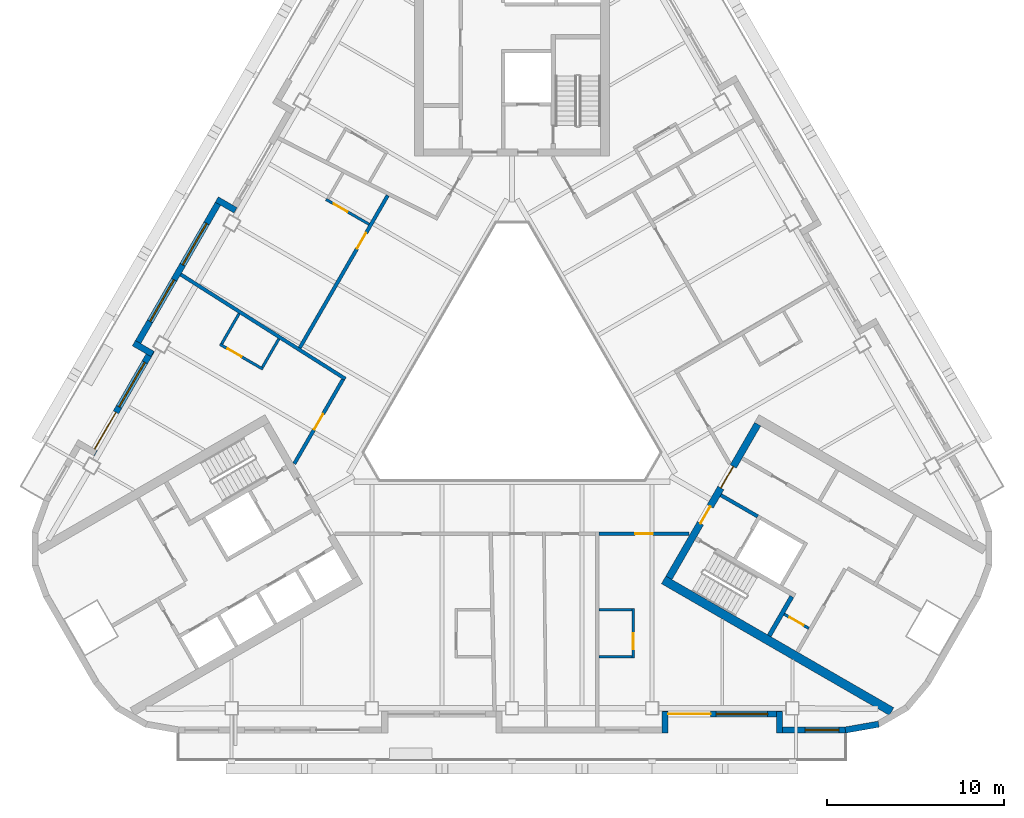
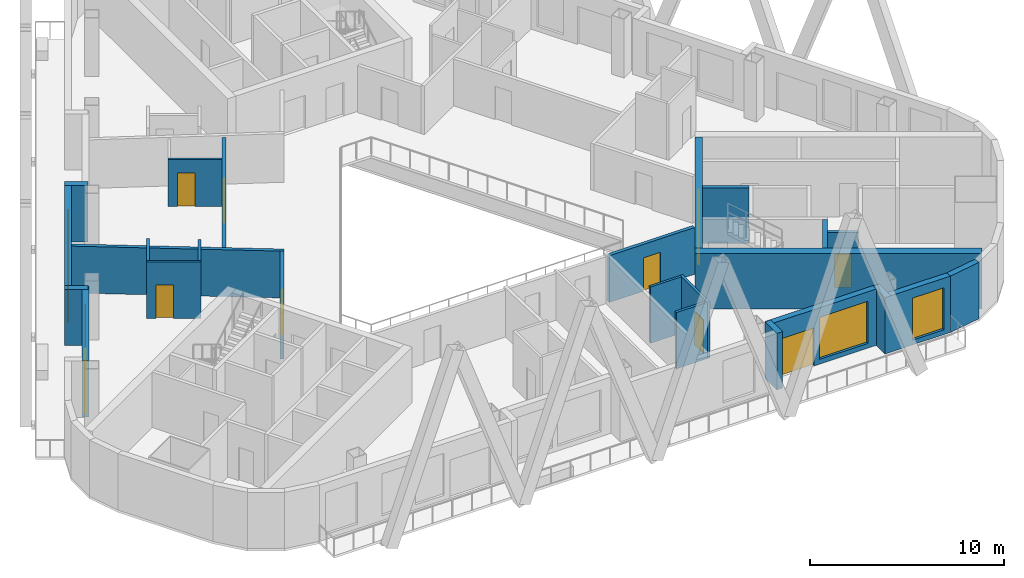
# One storey, part 4 of 13: 25 walls, 11 doors, 5 windows, 16 openings.
"""IFC4 building model written with IfcOpenShell, lengths in metres."""

from ifc_helpers import new_model, si_unit, direction, frame, frame_2d, origin, place, context, subcontext, project, spatial, rectangle, extrude, material, layer, layer_set, type_object, element, fill, save


model = new_model("IFC4")

# Units and contexts
model_context = context("Model", 3, precision=1e-05, world=origin(), true_north=direction((0.0, 1.0)))
body_context = subcontext(model_context, "Body", "Model", "MODEL_VIEW")
ifc_project = project(units=[si_unit("LENGTHUNIT", "METRE"), si_unit("AREAUNIT", "SQUARE_METRE"), si_unit("VOLUMEUNIT", "CUBIC_METRE"), si_unit("PLANEANGLEUNIT", "RADIAN"), si_unit("MASSUNIT", "GRAM", prefix="KILO")], contexts=[model_context])

# Site, building, storey
site_placement = place(None, origin())
site = spatial("IfcSite", under=ifc_project, at=site_placement, CompositionType="ELEMENT")
building_placement = place(site_placement, origin())
building = spatial("IfcBuilding", under=site, at=building_placement, Name="Apuvela Tower Hotel", CompositionType="ELEMENT")
storey_placement = place(building_placement, frame((0.0, 0.0, 191.0)))
storey = spatial("IfcBuildingStorey", under=building, at=storey_placement, Name="L46", CompositionType="ELEMENT", Elevation=191.0)

# Wall, openings, doors
ifc_material_1 = material(Name="Concrete C50/60", Category="concrete")
ifc_layer_1 = layer(ifc_material_1, 0.39990234375)
ifc_layer_set_1 = layer_set([ifc_layer_1], Name="COR-WALL-CORE-400")
wall_type_1 = type_object("IfcWallType", Name="COR-WALL-CORE-400", PredefinedType="SHEAR", material=ifc_layer_set_1)
wall_1_placement = place(storey_placement, frame((8.844970703125, -10.880126953125, 0.0), z_axis=(0.0, 0.0, 1.0), x_axis=(0.500004234368, 0.866022959057, 0.0)))
wall_1 = element("IfcWall", 1, at=wall_1_placement, inside=storey, type_object=wall_type_1, Name="Core wall SE", PredefinedType="SHEAR", context=body_context, shape_type="SweptSolid", body=[
    extrude(rectangle(XDim=10.0, YDim=0.39990234375, at=frame_2d((5.0, 0.0))), origin(), (0.0, 0.0, 1.0), 3.5),
])
opening_1_placement = place(wall_1_placement, frame((3.550048828125, 0.0, 0.0)))
opening_1 = element("IfcOpeningElement", 2, at=opening_1_placement, cuts=wall_1, Name="Opening E-FD", PredefinedType="OPENING", context=body_context, shape_type="SweptSolid", body=[
    extrude(rectangle(XDim=1.10009765625, YDim=2.10009765625, at=frame_2d((0.550048828125, 1.050048828125))), frame((0.0, 0.2099609375, 0.0), z_axis=(0.0, -1.0, 0.0), x_axis=(1.0, 0.0, 0.0)), (0.0, 0.0, 1.0), 0.419921875),
])
opening_2_placement = place(wall_1_placement, frame((5.85009765625, 0.0, 0.0)))
opening_2 = element("IfcOpeningElement", 3, at=opening_2_placement, cuts=wall_1, Name="Opening E-GD", PredefinedType="OPENING", context=body_context, shape_type="SweptSolid", body=[
    extrude(rectangle(XDim=1.39990234375, YDim=2.10009765625, at=frame_2d((0.699951171875, 1.050048828125))), frame((0.0, 0.2099609375, 0.0), z_axis=(0.0, -1.0, 0.0), x_axis=(1.0, 0.0, 0.0)), (0.0, 0.0, 1.0), 0.419921875),
])
ifc_material_2 = material(Name="Steel fire door, powder coated", Category="steel")
door_type_1 = type_object("IfcDoorType", Name="COR-FD-1100", OperationType="NOTDEFINED", PredefinedType="DOOR", material=ifc_material_2)
door_1_placement = place(opening_1_placement, frame((1.10009765625, 0.0, 0.0), z_axis=(0.0, 0.0, 1.0), x_axis=(-1.0, 0.0, 0.0)))
door_1 = element("IfcDoor", 4, at=door_1_placement, inside=storey, type_object=door_type_1, Name="Firefighting lobby door E-FD", OperationType="SINGLE_SWING_LEFT", OverallHeight=2.10009765625, OverallWidth=1.10009765625, PredefinedType="DOOR", context=body_context, shape_type="SweptSolid", body=[
    extrude(rectangle(XDim=1.10009765625, YDim=2.10009765625, at=frame_2d((0.550048828125, 1.050048828125))), frame((0.0, 0.02490234375, 0.0), z_axis=(0.0, -1.0, 0.0), x_axis=(1.0, 0.0, 0.0)), (0.0, 0.0, 1.0), 0.050048828125),
])
fill(opening_1, door_1)
ifc_material_3 = material(Name="Glazed steel fire door", Category="steel")
door_type_2 = type_object("IfcDoorType", Name="COR-GD-1400", OperationType="DOUBLE_DOOR_SINGLE_SWING", PredefinedType="DOOR", material=ifc_material_3)
door_2_placement = place(opening_2_placement, frame((1.39990234375, 0.0, 0.0), z_axis=(0.0, 0.0, 1.0), x_axis=(-1.0, 0.0, 0.0)))
door_2 = element("IfcDoor", 5, at=door_2_placement, inside=storey, type_object=door_type_2, Name="Lift lobby door E-GD", OperationType="DOUBLE_DOOR_SINGLE_SWING", OverallHeight=2.10009765625, OverallWidth=1.39990234375, PredefinedType="DOOR", context=body_context, shape_type="SweptSolid", body=[
    extrude(rectangle(XDim=1.39990234375, YDim=2.10009765625, at=frame_2d((0.699951171875, 1.050048828125))), frame((0.0, 0.02490234375, 0.0), z_axis=(0.0, -1.0, 0.0), x_axis=(1.0, 0.0, 0.0)), (0.0, 0.0, 1.0), 0.050048828125),
])
fill(opening_2, door_2)

# Wall
ifc_layer_2 = layer(ifc_material_1, 0.5)
ifc_layer_set_2 = layer_set([ifc_layer_2], Name="COR-WALL-CORE-500")
wall_type_2 = type_object("IfcWallType", Name="COR-WALL-CORE-500", PredefinedType="SHEAR", material=ifc_layer_set_2)
wall_2_placement = place(storey_placement, frame((8.546630859375, -10.99658203125, 0.0), z_axis=(0.0, 0.0, 1.0), x_axis=(0.866025009528, -0.500000682871, 0.0)))
element("IfcWall", 6, at=wall_2_placement, inside=storey, type_object=wall_type_2, Name="Core wall SE", PredefinedType="SHEAR", context=body_context, shape_type="SweptSolid", body=[
    extrude(rectangle(XDim=14.8369140625, YDim=0.5, at=frame_2d((7.41845703125, 0.0))), origin(), (0.0, 0.0, 1.0), 3.5),
])

# Wall, opening, door
ifc_material_4 = material(Name="Blockwork 150 mm plastered", Category="masonry")
ifc_layer_3 = layer(ifc_material_4, 0.14990234375)
ifc_layer_set_3 = layer_set([ifc_layer_3], Name="COR-WALL-PART-150")
wall_type_3 = type_object("IfcWallType", Name="COR-WALL-PART-150", PredefinedType="PARTITIONING", material=ifc_layer_set_3)
wall_3_placement = place(storey_placement, frame((15.341552734375, -12.927734375, 0.0), z_axis=(0.0, 0.0, 1.0), x_axis=(0.865989903783, -0.500061482766, 0.0)))
wall_3 = element("IfcWall", 7, at=wall_3_placement, inside=storey, type_object=wall_type_3, Name="Partition SE", PredefinedType="PARTITIONING", context=body_context, shape_type="SweptSolid", body=[
    extrude(rectangle(XDim=1.599853515625, YDim=0.14990234375, at=frame_2d((0.7998046875, 0.0))), origin(), (0.0, 0.0, 1.0), 3.5),
])
opening_3_placement = place(wall_3_placement, frame((0.35009765625, 0.0, 0.0)))
opening_3 = element("IfcOpeningElement", 8, at=opening_3_placement, cuts=wall_3, Name="Opening E-RD", PredefinedType="OPENING", context=body_context, shape_type="SweptSolid", body=[
    extrude(rectangle(XDim=0.89990234375, YDim=2.10009765625, at=frame_2d((0.449951171875, 1.050048828125))), frame((0.0, 0.0849609375, 0.0), z_axis=(0.0, -1.0, 0.0), x_axis=(1.0, 0.0, 0.0)), (0.0, 0.0, 1.0), 0.169921875),
])
ifc_material_5 = material(Name="Steel access door, powder coated", Category="steel")
door_type_3 = type_object("IfcDoorType", Name="COR-RD-900", OperationType="NOTDEFINED", PredefinedType="DOOR", material=ifc_material_5)
door_3_placement = place(opening_3_placement, frame((0.89990234375, 0.0, 0.0), z_axis=(0.0, 0.0, 1.0), x_axis=(-1.0, 0.0, 0.0)))
door_3 = element("IfcDoor", 9, at=door_3_placement, inside=storey, type_object=door_type_3, Name="Riser door E-RD", OperationType="SINGLE_SWING_LEFT", OverallHeight=2.10009765625, OverallWidth=0.89990234375, PredefinedType="DOOR", context=body_context, shape_type="SweptSolid", body=[
    extrude(rectangle(XDim=0.89990234375, YDim=2.10009765625, at=frame_2d((0.449951171875, 1.050048828125))), frame((0.0, 0.02490234375, 0.0), z_axis=(0.0, -1.0, 0.0), x_axis=(1.0, 0.0, 0.0)), (0.0, 0.0, 1.0), 0.050048828125),
])
fill(opening_3, door_3)

# Walls
ifc_layer_4 = layer(ifc_material_1, 0.199951171875)
ifc_layer_set_4 = layer_set([ifc_layer_4], Name="COR-WALL-SHAFT-200")
wall_type_4 = type_object("IfcWallType", Name="COR-WALL-SHAFT-200", PredefinedType="SHEAR", material=ifc_layer_set_4)
wall_4_placement = place(storey_placement, frame((11.76806640625, -6.217041015625, 0.0), z_axis=(0.0, 0.0, 1.0), x_axis=(0.866050077142, -0.499957262057, 0.0)))
element("IfcWall", 10, at=wall_4_placement, inside=storey, type_object=wall_type_4, Name="Shaft wall SE", PredefinedType="SHEAR", context=body_context, shape_type="SweptSolid", body=[
    extrude(rectangle(XDim=2.400146484375, YDim=0.199951171875, at=frame_2d((1.2001953125, 0.0))), origin(), (0.0, 0.0, 1.0), 3.5),
])
ifc_layer_5 = layer(ifc_material_1, 0.25)
ifc_layer_set_5 = layer_set([ifc_layer_5], Name="COR-WALL-STAIR-250")
wall_type_5 = type_object("IfcWallType", Name="COR-WALL-STAIR-250", PredefinedType="SHEAR", material=ifc_layer_set_5)
wall_5_placement = place(storey_placement, frame((14.49560546875, -14.142578125, 0.0), z_axis=(0.0, 0.0, 1.0), x_axis=(0.500062241894, 0.865989465428, 0.0)))
element("IfcWall", 11, at=wall_5_placement, inside=storey, type_object=wall_type_5, Name="Stair wall SE", PredefinedType="SHEAR", context=body_context, shape_type="SweptSolid", body=[
    extrude(rectangle(XDim=2.550048828125, YDim=0.25, at=frame_2d((1.27490234375, 0.0))), origin(), (0.0, 0.0, 1.0), 3.5),
])
ifc_material_6 = material(Name="Concrete C40/50, dark pigmented precast panel", Category="concrete")
ifc_layer_6 = layer(ifc_material_6, 0.35009765625)
ifc_layer_set_6 = layer_set([ifc_layer_6], Name="ENV-WALL-350")
wall_type_6 = type_object("IfcWallType", Name="ENV-WALL-350", PredefinedType="SOLIDWALL", material=ifc_layer_set_6)
wall_6_placement = place(storey_placement, frame((-15.580810546875, 9.8330078125, 0.0), z_axis=(0.0, 0.0, 1.0), x_axis=(-0.866055662726, 0.499947586314, 0.0)))
element("IfcWall", 12, at=wall_6_placement, inside=storey, type_object=wall_type_6, Name="External wall L46-04", PredefinedType="SOLIDWALL", context=body_context, shape_type="SweptSolid", body=[
    extrude(rectangle(XDim=1.220458984375, YDim=0.35009765625, at=frame_2d((0.6103515625, 0.0))), origin(), (0.0, 0.0, 1.0), 3.550048828125),
])

# Wall, openings, windows
wall_7_placement = place(storey_placement, frame((-16.3984375, 10.507080078125, 0.0), z_axis=(0.0, 0.0, 1.0), x_axis=(-0.499999142773, -0.866025898704, 0.0)))
wall_7 = element("IfcWall", 13, at=wall_7_placement, inside=storey, type_object=wall_type_6, Name="External wall L46-05", PredefinedType="SOLIDWALL", context=body_context, shape_type="SweptSolid", body=[
    extrude(rectangle(XDim=9.7001953125, YDim=0.35009765625, at=frame_2d((4.85009765625, 0.0))), origin(), (0.0, 0.0, 1.0), 3.550048828125),
])
opening_4_placement = place(wall_7_placement, frame((1.625, 0.0, 0.300048828125)))
opening_4 = element("IfcOpeningElement", 14, at=opening_4_placement, cuts=wall_7, Name="Opening WN27", PredefinedType="OPENING", context=body_context, shape_type="SweptSolid", body=[
    extrude(rectangle(XDim=2.699951171875, YDim=2.64990234375, at=frame_2d((1.35009765625, 1.324951171875))), frame((0.0, 0.18505859375, 0.0), z_axis=(0.0, -1.0, 0.0), x_axis=(1.0, 0.0, 0.0)), (0.0, 0.0, 1.0), 0.3701171875),
])
opening_5_placement = place(wall_7_placement, frame((5.2998046875, 0.0, 0.300048828125)))
opening_5 = element("IfcOpeningElement", 15, at=opening_5_placement, cuts=wall_7, Name="Opening WN27", PredefinedType="OPENING", context=body_context, shape_type="SweptSolid", body=[
    extrude(rectangle(XDim=2.699951171875, YDim=2.64990234375, at=frame_2d((1.35009765625, 1.324951171875))), frame((0.0, 0.18505859375, 0.0), z_axis=(0.0, -1.0, 0.0), x_axis=(1.0, 0.0, 0.0)), (0.0, 0.0, 1.0), 0.3701171875),
])
ifc_material_7 = material(Name="Glass, dark tinted laminated insulated glazing unit", Category="glass")
window_type_1 = type_object("IfcWindowType", Name="ENV-WIN-2700x2650", PartitioningType="SINGLE_PANEL", PredefinedType="WINDOW", material=ifc_material_7)
window_1_placement = place(opening_4_placement, origin())
window_1 = element("IfcWindow", 16, at=window_1_placement, inside=storey, type_object=window_type_1, Name="Window WN27", OverallHeight=2.64990234375, OverallWidth=2.699951171875, PartitioningType="SINGLE_PANEL", PredefinedType="WINDOW", context=body_context, shape_type="SweptSolid", body=[
    extrude(rectangle(XDim=2.699951171875, YDim=2.64990234375, at=frame_2d((1.35009765625, 1.324951171875))), frame((0.0, 0.030029296875, 0.0), z_axis=(0.0, -1.0, 0.0), x_axis=(1.0, 0.0, 0.0)), (0.0, 0.0, 1.0), 0.06005859375),
])
fill(opening_4, window_1)
window_2_placement = place(opening_5_placement, origin())
window_2 = element("IfcWindow", 17, at=window_2_placement, inside=storey, type_object=window_type_1, Name="Window WN27", OverallHeight=2.64990234375, OverallWidth=2.699951171875, PartitioningType="SINGLE_PANEL", PredefinedType="WINDOW", context=body_context, shape_type="SweptSolid", body=[
    extrude(rectangle(XDim=2.699951171875, YDim=2.64990234375, at=frame_2d((1.35009765625, 1.324951171875))), frame((0.0, 0.030029296875, 0.0), z_axis=(0.0, -1.0, 0.0), x_axis=(1.0, 0.0, 0.0)), (0.0, 0.0, 1.0), 0.06005859375),
])
fill(opening_5, window_2)

# Wall
wall_8_placement = place(storey_placement, frame((-21.3125, 2.345703125, 0.0), z_axis=(0.0, 0.0, 1.0), x_axis=(0.866005645448, -0.500034220881, 0.0)))
element("IfcWall", 18, at=wall_8_placement, inside=storey, type_object=wall_type_6, Name="External wall L46-06", PredefinedType="SOLIDWALL", context=body_context, shape_type="SweptSolid", body=[
    extrude(rectangle(XDim=1.22021484375, YDim=0.35009765625, at=frame_2d((0.610107421875, 0.0))), origin(), (0.0, 0.0, 1.0), 3.550048828125),
])

# Wall, openings, door, window
wall_9_placement = place(storey_placement, frame((-20.30908203125, 1.93359375, 0.0), z_axis=(0.0, 0.0, 1.0), x_axis=(-0.499992114976, -0.866029956157, 0.0)))
wall_9 = element("IfcWall", 19, at=wall_9_placement, inside=storey, type_object=wall_type_6, Name="External wall L46-07", PredefinedType="SOLIDWALL", context=body_context, shape_type="SweptSolid", body=[
    extrude(rectangle(XDim=6.73974609375, YDim=0.35009765625, at=frame_2d((3.369873046875, 0.0))), origin(), (0.0, 0.0, 1.0), 3.550048828125),
])
opening_6_placement = place(wall_9_placement, frame((4.02001953125, 0.0, 0.0)))
opening_6 = element("IfcOpeningElement", 20, at=opening_6_placement, cuts=wall_9, Name="Opening BD24", PredefinedType="OPENING", context=body_context, shape_type="SweptSolid", body=[
    extrude(rectangle(XDim=2.39990234375, YDim=2.39990234375, at=frame_2d((1.199951171875, 1.199951171875))), frame((0.0, 0.18505859375, 0.0), z_axis=(0.0, -1.0, 0.0), x_axis=(1.0, 0.0, 0.0)), (0.0, 0.0, 1.0), 0.3701171875),
])
opening_7_placement = place(wall_9_placement, frame((0.77001953125, 0.0, 0.300048828125)))
opening_7 = element("IfcOpeningElement", 21, at=opening_7_placement, cuts=wall_9, Name="Opening WN29", PredefinedType="OPENING", context=body_context, shape_type="SweptSolid", body=[
    extrude(rectangle(XDim=2.89990234375, YDim=2.64990234375, at=frame_2d((1.449951171875, 1.324951171875))), frame((0.0, 0.18505859375, 0.0), z_axis=(0.0, -1.0, 0.0), x_axis=(1.0, 0.0, 0.0)), (0.0, 0.0, 1.0), 0.3701171875),
])
ifc_material_8 = material(Name="Aluminium 6063-T6, dark bronze anodised frame with dark tinted laminated glass", Category="aluminium")
door_type_4 = type_object("IfcDoorType", Name="ENV-DOOR-BALCONY-2400x2400", OperationType="SLIDING_TO_LEFT", PredefinedType="DOOR", material=ifc_material_8)
door_4_placement = place(opening_6_placement, frame((2.39990234375, 0.0, 0.0), z_axis=(0.0, 0.0, 1.0), x_axis=(-1.0, 0.0, 0.0)))
door_4 = element("IfcDoor", 22, at=door_4_placement, inside=storey, type_object=door_type_4, Name="Balcony door BD24", OperationType="SLIDING_TO_LEFT", OverallHeight=2.39990234375, OverallWidth=2.39990234375, PredefinedType="DOOR", context=body_context, shape_type="SweptSolid", body=[
    extrude(rectangle(XDim=2.39990234375, YDim=2.39990234375, at=frame_2d((1.199951171875, 1.199951171875))), frame((0.0, 0.02490234375, 0.0), z_axis=(0.0, -1.0, 0.0), x_axis=(1.0, 0.0, 0.0)), (0.0, 0.0, 1.0), 0.050048828125),
])
fill(opening_6, door_4)
window_type_2 = type_object("IfcWindowType", Name="ENV-WIN-2900x2650", PartitioningType="SINGLE_PANEL", PredefinedType="WINDOW", material=ifc_material_7)
window_3_placement = place(opening_7_placement, origin())
window_3 = element("IfcWindow", 23, at=window_3_placement, inside=storey, type_object=window_type_2, Name="Window WN29", OverallHeight=2.64990234375, OverallWidth=2.89990234375, PartitioningType="SINGLE_PANEL", PredefinedType="WINDOW", context=body_context, shape_type="SweptSolid", body=[
    extrude(rectangle(XDim=2.89990234375, YDim=2.64990234375, at=frame_2d((1.449951171875, 1.324951171875))), frame((0.0, 0.030029296875, 0.0), z_axis=(0.0, -1.0, 0.0), x_axis=(1.0, 0.0, 0.0)), (0.0, 0.0, 1.0), 0.06005859375),
])
fill(opening_7, window_3)

# Wall
wall_10_placement = place(storey_placement, frame((8.625, -19.6298828125, 0.0), z_axis=(0.0, 0.0, 1.0), x_axis=(0.0, 1.0, 0.0)))
element("IfcWall", 24, at=wall_10_placement, inside=storey, type_object=wall_type_6, Name="External wall L46-22", PredefinedType="SOLIDWALL", context=body_context, shape_type="SweptSolid", body=[
    extrude(rectangle(XDim=1.219970703125, YDim=0.35009765625, at=frame_2d((0.60986328125, 0.0))), origin(), (0.0, 0.0, 1.0), 3.550048828125),
])

# Wall, openings, door, window
wall_11_placement = place(storey_placement, frame((8.47998046875, -18.554931640625, 0.0), z_axis=(0.0, 0.0, 1.0), x_axis=(1.0, 0.0, 0.0)))
wall_11 = element("IfcWall", 25, at=wall_11_placement, inside=storey, type_object=wall_type_6, Name="External wall L46-23", PredefinedType="SOLIDWALL", context=body_context, shape_type="SweptSolid", body=[
    extrude(rectangle(XDim=6.739990234375, YDim=0.35009765625, at=frame_2d((3.3701171875, 0.0))), origin(), (0.0, 0.0, 1.0), 3.550048828125),
])
opening_8_placement = place(wall_11_placement, frame((0.3203125, 0.0, 0.0)))
opening_8 = element("IfcOpeningElement", 26, at=opening_8_placement, cuts=wall_11, Name="Opening BD24", PredefinedType="OPENING", context=body_context, shape_type="SweptSolid", body=[
    extrude(rectangle(XDim=2.39990234375, YDim=2.39990234375, at=frame_2d((1.199951171875, 1.199951171875))), frame((0.0, 0.18505859375, 0.0), z_axis=(0.0, -1.0, 0.0), x_axis=(1.0, 0.0, 0.0)), (0.0, 0.0, 1.0), 0.3701171875),
])
opening_9_placement = place(wall_11_placement, frame((3.020263671875, 0.0, 0.300048828125)))
opening_9 = element("IfcOpeningElement", 27, at=opening_9_placement, cuts=wall_11, Name="Opening WN29", PredefinedType="OPENING", context=body_context, shape_type="SweptSolid", body=[
    extrude(rectangle(XDim=2.89990234375, YDim=2.64990234375, at=frame_2d((1.449951171875, 1.324951171875))), frame((0.0, 0.18505859375, 0.0), z_axis=(0.0, -1.0, 0.0), x_axis=(1.0, 0.0, 0.0)), (0.0, 0.0, 1.0), 0.3701171875),
])
door_5_placement = place(opening_8_placement, frame((2.39990234375, 0.0, 0.0), z_axis=(0.0, 0.0, 1.0), x_axis=(-1.0, 0.0, 0.0)))
door_5 = element("IfcDoor", 28, at=door_5_placement, inside=storey, type_object=door_type_4, Name="Balcony door BD24", OperationType="SLIDING_TO_LEFT", OverallHeight=2.39990234375, OverallWidth=2.39990234375, PredefinedType="DOOR", context=body_context, shape_type="SweptSolid", body=[
    extrude(rectangle(XDim=2.39990234375, YDim=2.39990234375, at=frame_2d((1.199951171875, 1.199951171875))), frame((0.0, 0.02490234375, 0.0), z_axis=(0.0, -1.0, 0.0), x_axis=(1.0, 0.0, 0.0)), (0.0, 0.0, 1.0), 0.050048828125),
])
fill(opening_8, door_5)
window_4_placement = place(opening_9_placement, origin())
window_4 = element("IfcWindow", 29, at=window_4_placement, inside=storey, type_object=window_type_2, Name="Window WN29", OverallHeight=2.64990234375, OverallWidth=2.89990234375, PartitioningType="SINGLE_PANEL", PredefinedType="WINDOW", context=body_context, shape_type="SweptSolid", body=[
    extrude(rectangle(XDim=2.89990234375, YDim=2.64990234375, at=frame_2d((1.449951171875, 1.324951171875))), frame((0.0, 0.030029296875, 0.0), z_axis=(0.0, -1.0, 0.0), x_axis=(1.0, 0.0, 0.0)), (0.0, 0.0, 1.0), 0.06005859375),
])
fill(opening_9, window_4)

# Wall
wall_12_placement = place(storey_placement, frame((15.074951171875, -18.409912109375, 0.0), z_axis=(0.0, 0.0, 1.0), x_axis=(0.0, -1.0, 0.0)))
element("IfcWall", 30, at=wall_12_placement, inside=storey, type_object=wall_type_6, Name="External wall L46-24", PredefinedType="SOLIDWALL", context=body_context, shape_type="SweptSolid", body=[
    extrude(rectangle(XDim=1.219970703125, YDim=0.35009765625, at=frame_2d((0.60986328125, 0.0))), origin(), (0.0, 0.0, 1.0), 3.550048828125),
])

# Wall, opening, window
wall_13_placement = place(storey_placement, frame((14.89990234375, -19.455078125, 0.0), z_axis=(0.0, 0.0, 1.0), x_axis=(1.0, 0.0, 0.0)))
wall_13 = element("IfcWall", 31, at=wall_13_placement, inside=storey, type_object=wall_type_6, Name="External wall L46-25", PredefinedType="SOLIDWALL", context=body_context, shape_type="SweptSolid", body=[
    extrude(rectangle(XDim=3.916015625, YDim=0.35009765625, at=frame_2d((1.9580078125, 0.0))), origin(), (0.0, 0.0, 1.0), 3.550048828125),
])
opening_10_placement = place(wall_13_placement, frame((1.624755859375, 0.0, 0.300048828125)))
opening_10 = element("IfcOpeningElement", 32, at=opening_10_placement, cuts=wall_13, Name="Opening WN19", PredefinedType="OPENING", context=body_context, shape_type="SweptSolid", body=[
    extrude(rectangle(XDim=1.89990234375, YDim=2.64990234375, at=frame_2d((0.949951171875, 1.324951171875))), frame((0.0, 0.18505859375, 0.0), z_axis=(0.0, -1.0, 0.0), x_axis=(1.0, 0.0, 0.0)), (0.0, 0.0, 1.0), 0.3701171875),
])
window_type_3 = type_object("IfcWindowType", Name="ENV-WIN-1900x2650", PartitioningType="SINGLE_PANEL", PredefinedType="WINDOW", material=ifc_material_7)
window_5_placement = place(opening_10_placement, origin())
window_5 = element("IfcWindow", 33, at=window_5_placement, inside=storey, type_object=window_type_3, Name="Window WN19", OverallHeight=2.64990234375, OverallWidth=1.89990234375, PartitioningType="SINGLE_PANEL", PredefinedType="WINDOW", context=body_context, shape_type="SweptSolid", body=[
    extrude(rectangle(XDim=1.89990234375, YDim=2.64990234375, at=frame_2d((0.949951171875, 1.324951171875))), frame((0.0, 0.030029296875, 0.0), z_axis=(0.0, -1.0, 0.0), x_axis=(1.0, 0.0, 0.0)), (0.0, 0.0, 1.0), 0.06005859375),
])
fill(opening_10, window_5)

# Walls
wall_14_placement = place(storey_placement, frame((18.785400390625, -19.457763671875, 0.0), z_axis=(0.0, 0.0, 1.0), x_axis=(0.984798995425, 0.173697837091, 0.0)))
element("IfcWall", 34, at=wall_14_placement, inside=storey, type_object=wall_type_6, Name="External wall L46-26", PredefinedType="SOLIDWALL", context=body_context, shape_type="SweptSolid", body=[
    extrude(rectangle(XDim=1.91015625, YDim=0.35009765625, at=frame_2d((0.955078125, 0.0))), origin(), (0.0, 0.0, 1.0), 3.550048828125),
])
ifc_material_9 = material(Name="Gypsum board partition on twin steel stud", Category="steel")
ifc_layer_7 = layer(ifc_material_9, 0.199951171875)
ifc_layer_set_7 = layer_set([ifc_layer_7], Name="GST-PW1")
wall_type_7 = type_object("IfcWallType", Name="GST-PW1", PredefinedType="PARTITIONING", material=ifc_layer_set_7)
wall_15_placement = place(storey_placement, frame((-18.672119140625, 6.21923828125, 0.0), z_axis=(0.0, 0.0, 1.0), x_axis=(0.844423533478, -0.535676111198, 0.0)))
element("IfcWall", 35, at=wall_15_placement, inside=storey, type_object=wall_type_7, Name="L46 partition 06", PredefinedType="PARTITIONING", context=body_context, shape_type="SweptSolid", body=[
    extrude(rectangle(XDim=10.98974609375, YDim=0.199951171875, at=frame_2d((5.494873046875, 0.0))), origin(), (0.0, 0.0, 1.0), 2.949951171875),
])

# Wall, opening, door
ifc_material_10 = material(Name="Gypsum board corridor wall on twin steel stud, acoustic", Category="steel")
ifc_layer_8 = layer(ifc_material_10, 0.199951171875)
ifc_layer_set_8 = layer_set([ifc_layer_8], Name="GST-PW2")
wall_type_8 = type_object("IfcWallType", Name="GST-PW2", PredefinedType="PARTITIONING", material=ifc_layer_set_8)
wall_16_placement = place(storey_placement, frame((9.98828125, -8.39990234375, 0.0), z_axis=(0.0, 0.0, 1.0), x_axis=(-1.0, 0.0, 0.0)))
wall_16 = element("IfcWall", 36, at=wall_16_placement, inside=storey, type_object=wall_type_8, Name="L46 partition 14", PredefinedType="PARTITIONING", context=body_context, shape_type="SweptSolid", body=[
    extrude(rectangle(XDim=5.08837890625, YDim=0.199951171875, at=frame_2d((2.544189453125, 0.0))), origin(), (0.0, 0.0, 1.0), 2.949951171875),
])
opening_11_placement = place(wall_16_placement, frame((2.044189453125, 0.0, 0.0)))
opening_11 = element("IfcOpeningElement", 37, at=opening_11_placement, cuts=wall_16, Name="Opening GD18-06", PredefinedType="OPENING", context=body_context, shape_type="SweptSolid", body=[
    extrude(rectangle(XDim=1.0, YDim=2.10009765625, at=frame_2d((0.5, 1.050048828125))), frame((0.0, 0.10986328125, 0.0), z_axis=(0.0, -1.0, 0.0), x_axis=(1.0, 0.0, 0.0)), (0.0, 0.0, 1.0), 0.219970703125),
])
ifc_material_11 = material(Name="Timber door leaf in steel frame", Category="steel")
door_type_5 = type_object("IfcDoorType", Name="GST-D1", OperationType="NOTDEFINED", PredefinedType="DOOR", material=ifc_material_11)
door_6_placement = place(opening_11_placement, origin())
door_6 = element("IfcDoor", 38, at=door_6_placement, inside=storey, type_object=door_type_5, Name="Door L46-06", OperationType="SINGLE_SWING_RIGHT", OverallHeight=2.10009765625, OverallWidth=1.0, PredefinedType="DOOR", context=body_context, shape_type="SweptSolid", body=[
    extrude(rectangle(XDim=1.0, YDim=2.10009765625, at=frame_2d((0.5, 1.050048828125))), frame((0.0, 0.02490234375, 0.0), z_axis=(0.0, -1.0, 0.0), x_axis=(1.0, 0.0, 0.0)), (0.0, 0.0, 1.0), 0.050048828125),
])
fill(opening_11, door_6)

wall_17_placement = place(storey_placement, frame((-11.962158203125, 2.0810546875, 0.0), z_axis=(0.0, 0.0, 1.0), x_axis=(0.500007290723, 0.866021194443, 0.0)))
wall_17 = element("IfcWall", 39, at=wall_17_placement, inside=storey, type_object=wall_type_8, Name="L46 partition 33", PredefinedType="PARTITIONING", context=body_context, shape_type="SweptSolid", body=[
    extrude(rectangle(XDim=9.917236328125, YDim=0.199951171875, at=frame_2d((4.95849609375, 0.0))), origin(), (0.0, 0.0, 1.0), 2.949951171875),
])
opening_12_placement = place(wall_17_placement, frame((6.461669921875, 0.0, 0.0)))
opening_12 = element("IfcOpeningElement", 40, at=opening_12_placement, cuts=wall_17, Name="Opening GD18-16", PredefinedType="OPENING", context=body_context, shape_type="SweptSolid", body=[
    extrude(rectangle(XDim=1.0, YDim=2.10009765625, at=frame_2d((0.5, 1.050048828125))), frame((0.0, 0.10986328125, 0.0), z_axis=(0.0, -1.0, 0.0), x_axis=(1.0, 0.0, 0.0)), (0.0, 0.0, 1.0), 0.219970703125),
])
door_7_placement = place(opening_12_placement, origin())
door_7 = element("IfcDoor", 41, at=door_7_placement, inside=storey, type_object=door_type_5, Name="Door L46-16", OperationType="SINGLE_SWING_LEFT", OverallHeight=2.10009765625, OverallWidth=1.0, PredefinedType="DOOR", context=body_context, shape_type="SweptSolid", body=[
    extrude(rectangle(XDim=1.0, YDim=2.10009765625, at=frame_2d((0.5, 1.050048828125))), frame((0.0, 0.02490234375, 0.0), z_axis=(0.0, -1.0, 0.0), x_axis=(1.0, 0.0, 0.0)), (0.0, 0.0, 1.0), 0.050048828125),
])
fill(opening_12, door_7)

wall_18_placement = place(storey_placement, frame((-12.268798828125, -4.449951171875, 0.0), z_axis=(0.0, 0.0, 1.0), x_axis=(0.500026884667, 0.866009881359, 0.0)))
wall_18 = element("IfcWall", 42, at=wall_18_placement, inside=storey, type_object=wall_type_8, Name="L46 partition 36", PredefinedType="PARTITIONING", context=body_context, shape_type="SweptSolid", body=[
    extrude(rectangle(XDim=5.484130859375, YDim=0.199951171875, at=frame_2d((2.7421875, 0.0))), origin(), (0.0, 0.0, 1.0), 2.949951171875),
])
opening_13_placement = place(wall_18_placement, frame((2.241943359375, 0.0, 0.0)))
opening_13 = element("IfcOpeningElement", 43, at=opening_13_placement, cuts=wall_18, Name="Opening GD18-18", PredefinedType="OPENING", context=body_context, shape_type="SweptSolid", body=[
    extrude(rectangle(XDim=1.0, YDim=2.10009765625, at=frame_2d((0.5, 1.050048828125))), frame((0.0, 0.10986328125, 0.0), z_axis=(0.0, -1.0, 0.0), x_axis=(1.0, 0.0, 0.0)), (0.0, 0.0, 1.0), 0.219970703125),
])
door_8_placement = place(opening_13_placement, origin())
door_8 = element("IfcDoor", 44, at=door_8_placement, inside=storey, type_object=door_type_5, Name="Door L46-18", OperationType="SINGLE_SWING_RIGHT", OverallHeight=2.10009765625, OverallWidth=1.0, PredefinedType="DOOR", context=body_context, shape_type="SweptSolid", body=[
    extrude(rectangle(XDim=1.0, YDim=2.10009765625, at=frame_2d((0.5, 1.050048828125))), frame((0.0, 0.02490234375, 0.0), z_axis=(0.0, -1.0, 0.0), x_axis=(1.0, 0.0, 0.0)), (0.0, 0.0, 1.0), 0.050048828125),
])
fill(opening_13, door_8)

ifc_material_12 = material(Name="Moisture-resistant gypsum board wet wall on steel stud", Category="steel")
ifc_layer_9 = layer(ifc_material_12, 0.14990234375)
ifc_layer_set_9 = layer_set([ifc_layer_9], Name="GST-PW3")
wall_type_9 = type_object("IfcWallType", Name="GST-PW3", PredefinedType="PARTITIONING", material=ifc_layer_set_9)
wall_19_placement = place(storey_placement, frame((6.824951171875, -15.39990234375, 0.0), z_axis=(0.0, 0.0, 1.0), x_axis=(0.0, 1.0, 0.0)))
wall_19 = element("IfcWall", 45, at=wall_19_placement, inside=storey, type_object=wall_type_9, Name="L46 partition 15", PredefinedType="PARTITIONING", context=body_context, shape_type="SweptSolid", body=[
    extrude(rectangle(XDim=2.7998046875, YDim=0.14990234375, at=frame_2d((1.39990234375, 0.0))), origin(), (0.0, 0.0, 1.0), 3.550048828125),
])
opening_14_placement = place(wall_19_placement, frame((0.5, 0.0, 0.0)))
opening_14 = element("IfcOpeningElement", 46, at=opening_14_placement, cuts=wall_19, Name="Opening GD18-05", PredefinedType="OPENING", context=body_context, shape_type="SweptSolid", body=[
    extrude(rectangle(XDim=0.89990234375, YDim=2.10009765625, at=frame_2d((0.449951171875, 1.050048828125))), frame((0.0, 0.0849609375, 0.0), z_axis=(0.0, -1.0, 0.0), x_axis=(1.0, 0.0, 0.0)), (0.0, 0.0, 1.0), 0.169921875),
])
door_type_6 = type_object("IfcDoorType", Name="GST-D2", OperationType="NOTDEFINED", PredefinedType="DOOR", material=ifc_material_11)
door_9_placement = place(opening_14_placement, origin())
door_9 = element("IfcDoor", 47, at=door_9_placement, inside=storey, type_object=door_type_6, Name="Door L46-05", OperationType="SINGLE_SWING_LEFT", OverallHeight=2.10009765625, OverallWidth=0.89990234375, PredefinedType="DOOR", context=body_context, shape_type="SweptSolid", body=[
    extrude(rectangle(XDim=0.89990234375, YDim=2.10009765625, at=frame_2d((0.449951171875, 1.050048828125))), frame((0.0, 0.02490234375, 0.0), z_axis=(0.0, -1.0, 0.0), x_axis=(1.0, 0.0, 0.0)), (0.0, 0.0, 1.0), 0.050048828125),
])
fill(opening_14, door_9)

# Walls
for number, where, z_axis, x_axis, name in (
    (48, (4.89990234375, -15.324951171875, 0.0), (0.0, 0.0, 1.0), (1.0, 0.0, 0.0), "L46 partition 16"),
    (49, (4.89990234375, -12.675048828125, 0.0), (0.0, 0.0, 1.0), (1.0, 0.0, 0.0), "L46 partition 17"),
):
    element("IfcWall", number, at=place(storey_placement, frame(where, z_axis=z_axis, x_axis=x_axis)), inside=storey, type_object=wall_type_9, Name=name, PredefinedType="PARTITIONING", context=body_context, shape_type="SweptSolid", body=[
        extrude(rectangle(XDim=1.85009765625, YDim=0.14990234375, at=frame_2d((0.925048828125, 0.0))), origin(), (0.0, 0.0, 1.0), 3.550048828125),
    ])

# Wall, opening, door
wall_20_placement = place(storey_placement, frame((-10.480224609375, 10.44775390625, 0.0), z_axis=(0.0, 0.0, 1.0), x_axis=(0.865996816683, -0.500049511043, 0.0)))
wall_20 = element("IfcWall", 50, at=wall_20_placement, inside=storey, type_object=wall_type_9, Name="L46 partition 34", PredefinedType="PARTITIONING", context=body_context, shape_type="SweptSolid", body=[
    extrude(rectangle(XDim=2.800048828125, YDim=0.14990234375, at=frame_2d((1.39990234375, 0.0))), origin(), (0.0, 0.0, 1.0), 2.949951171875),
])
opening_15_placement = place(wall_20_placement, frame((0.5, 0.0, 0.0)))
opening_15 = element("IfcOpeningElement", 51, at=opening_15_placement, cuts=wall_20, Name="Opening GD18-15", PredefinedType="OPENING", context=body_context, shape_type="SweptSolid", body=[
    extrude(rectangle(XDim=0.89990234375, YDim=2.10009765625, at=frame_2d((0.449951171875, 1.050048828125))), frame((0.0, 0.0849609375, 0.0), z_axis=(0.0, -1.0, 0.0), x_axis=(1.0, 0.0, 0.0)), (0.0, 0.0, 1.0), 0.169921875),
])
door_10_placement = place(opening_15_placement, origin())
door_10 = element("IfcDoor", 52, at=door_10_placement, inside=storey, type_object=door_type_6, Name="Door L46-15", OperationType="SINGLE_SWING_LEFT", OverallHeight=2.10009765625, OverallWidth=0.89990234375, PredefinedType="DOOR", context=body_context, shape_type="SweptSolid", body=[
    extrude(rectangle(XDim=0.89990234375, YDim=2.10009765625, at=frame_2d((0.449951171875, 1.050048828125))), frame((0.0, 0.02490234375, 0.0), z_axis=(0.0, -1.0, 0.0), x_axis=(1.0, 0.0, 0.0)), (0.0, 0.0, 1.0), 0.050048828125),
])
fill(opening_15, door_10)

wall_21_placement = place(storey_placement, frame((-16.4638671875, 2.283935546875, 0.0), z_axis=(0.0, 0.0, 1.0), x_axis=(0.866018616679, -0.500011755427, 0.0)))
wall_21 = element("IfcWall", 53, at=wall_21_placement, inside=storey, type_object=wall_type_9, Name="L46 partition 37", PredefinedType="PARTITIONING", context=body_context, shape_type="SweptSolid", body=[
    extrude(rectangle(XDim=2.80029296875, YDim=0.14990234375, at=frame_2d((1.400146484375, 0.0))), origin(), (0.0, 0.0, 1.0), 3.550048828125),
])
opening_16_placement = place(wall_21_placement, frame((0.5, 0.0, 0.0)))
opening_16 = element("IfcOpeningElement", 54, at=opening_16_placement, cuts=wall_21, Name="Opening GD18-17", PredefinedType="OPENING", context=body_context, shape_type="SweptSolid", body=[
    extrude(rectangle(XDim=0.89990234375, YDim=2.10009765625, at=frame_2d((0.449951171875, 1.050048828125))), frame((0.0, 0.0849609375, 0.0), z_axis=(0.0, -1.0, 0.0), x_axis=(1.0, 0.0, 0.0)), (0.0, 0.0, 1.0), 0.169921875),
])
door_11_placement = place(opening_16_placement, origin())
door_11 = element("IfcDoor", 55, at=door_11_placement, inside=storey, type_object=door_type_6, Name="Door L46-17", OperationType="SINGLE_SWING_LEFT", OverallHeight=2.10009765625, OverallWidth=0.89990234375, PredefinedType="DOOR", context=body_context, shape_type="SweptSolid", body=[
    extrude(rectangle(XDim=0.89990234375, YDim=2.10009765625, at=frame_2d((0.449951171875, 1.050048828125))), frame((0.0, 0.02490234375, 0.0), z_axis=(0.0, -1.0, 0.0), x_axis=(1.0, 0.0, 0.0)), (0.0, 0.0, 1.0), 0.050048828125),
])
fill(opening_16, door_11)

# Walls
wall_22_placement = place(storey_placement, frame((-15.37939453125, 4.011962890625, 0.0), z_axis=(0.0, 0.0, 1.0), x_axis=(-0.500016598995, -0.866015820138, 0.0)))
element("IfcWall", 56, at=wall_22_placement, inside=storey, type_object=wall_type_9, Name="L46 partition 38", PredefinedType="PARTITIONING", context=body_context, shape_type="SweptSolid", body=[
    extrude(rectangle(XDim=1.9638671875, YDim=0.14990234375, at=frame_2d((0.98193359375, 0.0))), origin(), (0.0, 0.0, 1.0), 3.550048828125),
])
wall_23_placement = place(storey_placement, frame((-13.139892578125, 2.59130859375, 0.0), z_axis=(0.0, 0.0, 1.0), x_axis=(-0.499950530793, -0.86605396296, 0.0)))
element("IfcWall", 57, at=wall_23_placement, inside=storey, type_object=wall_type_9, Name="L46 partition 39", PredefinedType="PARTITIONING", context=body_context, shape_type="SweptSolid", body=[
    extrude(rectangle(XDim=1.853271484375, YDim=0.14990234375, at=frame_2d((0.9267578125, 0.0))), origin(), (0.0, 0.0, 1.0), 3.550048828125),
])

save(model, "model.ifc")
